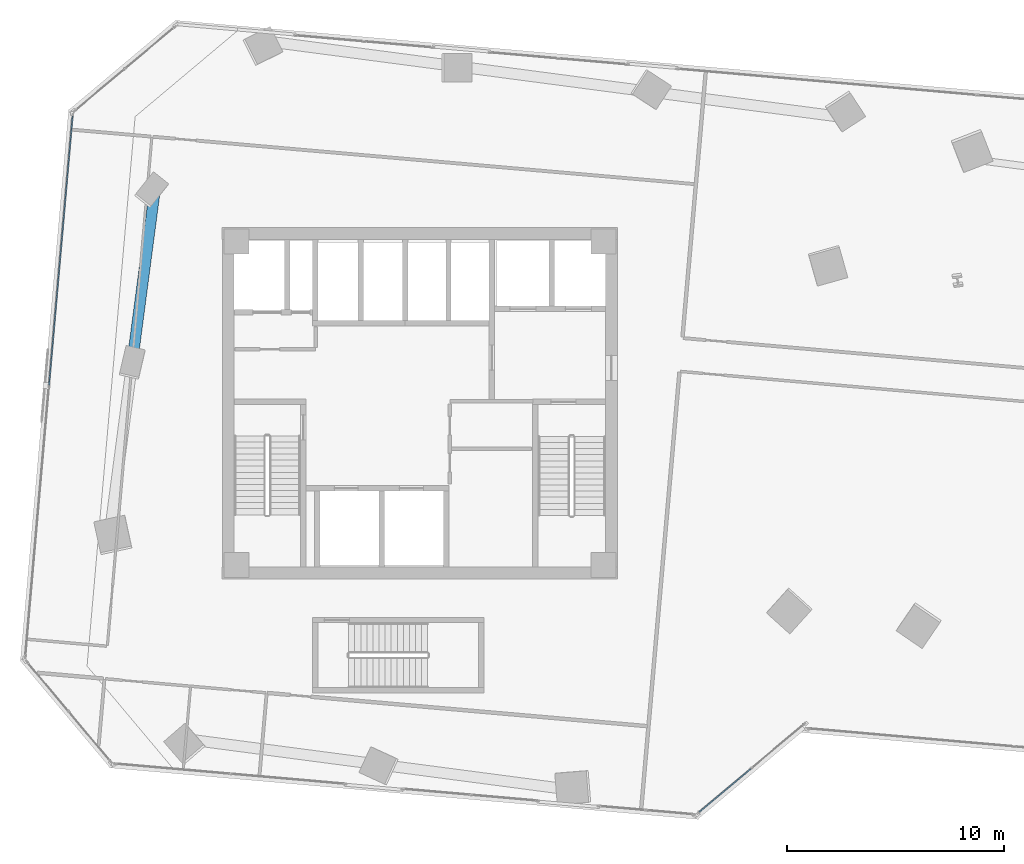
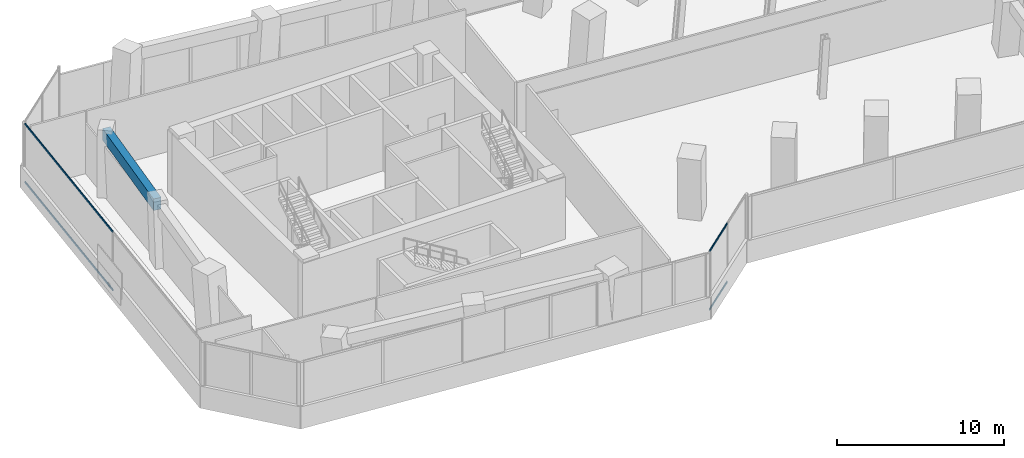
# One storey, part 7 of 23: 4 members, 1 beam, 2 elements without a shape of their own.
"""IFC4 building model written with IfcOpenShell, lengths in metres."""

from ifc_helpers import new_model, si_unit, direction, frame, origin, origin_2d, place, context, subcontext, project, spatial, rectangle, hollow_rectangle, extrude, source, transform, mapped, material, material_profile, profile_set, type_object, element, aggregate, save


model = new_model("IFC4")

# Units and contexts
model_context = context("Model", 3, precision=1e-05, world=origin(), true_north=direction((0.0, 1.0)))
body_context = subcontext(model_context, "Body", "Model", "MODEL_VIEW")
ifc_project = project(units=[si_unit("LENGTHUNIT", "METRE"), si_unit("AREAUNIT", "SQUARE_METRE"), si_unit("VOLUMEUNIT", "CUBIC_METRE"), si_unit("PLANEANGLEUNIT", "RADIAN"), si_unit("MASSUNIT", "GRAM", prefix="KILO")], contexts=[model_context])

# Site, building, storey
site_placement = place(None, origin())
site = spatial("IfcSite", under=ifc_project, at=site_placement, CompositionType="ELEMENT")
building_placement = place(site_placement, origin())
building = spatial("IfcBuilding", under=site, at=building_placement, Name="Torre Montelarca", CompositionType="ELEMENT")
storey_placement = place(building_placement, frame((0.0, 0.0, 56.800048828125)))
storey = spatial("IfcBuildingStorey", under=building, at=storey_placement, Name="L12", CompositionType="ELEMENT", Elevation=56.800048828125)

# Beam
ifc_material_1 = material(Name="Concrete C55/67", Category="concrete")
ifc_material_profile_1 = material_profile(ifc_material_1, rectangle(XDim=0.5, YDim=0.85009765625, at=origin_2d()), Name="RCB500X850", Category="concrete")
ifc_profile_set_1 = profile_set([ifc_material_profile_1], Name="Concrete C55/67")
beam_type = type_object("IfcBeamType", Name="BM-SP-RC850-EXT", PredefinedType="SPANDREL", material=ifc_profile_set_1)
shared_shape_1 = source(origin(), body_context, "Body", "SweptSolid", [
    extrude(rectangle(XDim=0.5, YDim=0.85009765625, at=origin_2d()), origin(), (0.0, 0.0, 1.0), 7.999755859375),
])
beam_placement = place(storey_placement, frame((4.794189453125, 34.199462890625, 4.135009765625), z_axis=(0.130526351537, 0.991444840399, 0.0), x_axis=(-0.991444840399, 0.130526351537, 0.0)))
element("IfcBeam", 1, at=beam_placement, inside=storey, type_object=beam_type, Name="L12 Grid Girder Y 32.0-40.0 at X=4.7", PredefinedType="SPANDREL", context=body_context, shape_type="MappedRepresentation", body=[
    mapped(shared_shape_1, transform((0.0, 0.0, 0.0), scale=1.0)),
])

# Curtain wall, members
ifc_material_2 = material(Name="Insulated low-E laminated glass", Category="glass")
curtain_wall_type = type_object("IfcCurtainWallType", Name="CW-SYS-Z1", PredefinedType="USERDEFINED", material=ifc_material_2)
curtain_wall_1_placement = place(storey_placement, origin())
curtain_wall_1 = element("IfcCurtainWall", 2, at=curtain_wall_1_placement, inside=storey, type_object=curtain_wall_type, Name="L12 Curtain Wall Run CW-T3-L12-E02-B1", ObjectType="UNITISED GLAZING", PredefinedType="USERDEFINED")
ifc_material_3 = material(Name="Anodised aluminium AA 6063-T6", Category="aluminium")
ifc_material_profile_2 = material_profile(ifc_material_3, hollow_rectangle(XDim=0.06494140625, YDim=0.139892578125, WallThickness=0.00390625, InnerFilletRadius=0.00390625, OuterFilletRadius=0.008056640625, at=origin_2d()), Name="ALU65X140X4", Category="aluminium")
ifc_profile_set_2 = profile_set([ifc_material_profile_2], Name="Anodised aluminium AA 6063-T6")
member_type = type_object("IfcMemberType", Name="CWT-ALU140", PredefinedType="USERDEFINED", material=ifc_profile_set_2)
shared_shape_2 = source(origin(), body_context, "Body", "SweptSolid", [
    extrude(hollow_rectangle(XDim=0.06494140625, YDim=0.139892578125, WallThickness=0.00390625, InnerFilletRadius=0.00390625, OuterFilletRadius=0.008056640625, at=origin_2d()), origin(), (0.0, 0.0, 1.0), 3.102783203125),
])
member_1_placement = place(storey_placement, frame((30.865478515625, 13.167236328125, 0.032470703125), z_axis=(0.766062807851, 0.642765722816, 0.0), x_axis=(-0.642765722816, 0.766062807851, 0.0)))
member_1 = element("IfcMember", 3, at=member_1_placement, type_object=member_type, Name="CW transom 1.1", ObjectType="TRANSOM", PredefinedType="USERDEFINED", context=body_context, shape_type="MappedRepresentation", body=[
    mapped(shared_shape_2, transform((0.0, 0.0, 0.0), scale=1.0)),
])
member_2_placement = place(storey_placement, frame((30.865478515625, 13.167236328125, 4.287353515625), z_axis=(0.766062807851, 0.642765722816, 0.0), x_axis=(-0.642765722816, 0.766062807851, 0.0)))
member_2 = element("IfcMember", 4, at=member_2_placement, type_object=member_type, Name="CW transom 1.2", ObjectType="TRANSOM", PredefinedType="USERDEFINED", context=body_context, shape_type="MappedRepresentation", body=[
    mapped(shared_shape_2, transform((0.0, 0.0, 0.0), scale=1.0)),
])
aggregate(curtain_wall_1, [member_1, member_2])

curtain_wall_2_placement = place(storey_placement, origin())
curtain_wall_2 = element("IfcCurtainWall", 5, at=curtain_wall_2_placement, inside=storey, type_object=curtain_wall_type, Name="L12 Curtain Wall Run CW-T3-L12-E10-B1", ObjectType="UNITISED GLAZING", PredefinedType="USERDEFINED")
shared_shape_3 = source(origin(), body_context, "Body", "SweptSolid", [
    extrude(hollow_rectangle(XDim=0.06494140625, YDim=0.139892578125, WallThickness=0.00390625, InnerFilletRadius=0.00390625, OuterFilletRadius=0.008056640625, at=origin_2d()), origin(), (0.0, 0.0, 1.0), 12.436767578125),
])
member_3_placement = place(storey_placement, frame((2.0078125, 45.21826171875, 0.032470703125), z_axis=(-0.087159888253, -0.996194335398, 0.0), x_axis=(0.996194335398, -0.087159888253, 0.0)))
member_3 = element("IfcMember", 6, at=member_3_placement, type_object=member_type, Name="CW transom 1.1", ObjectType="TRANSOM", PredefinedType="USERDEFINED", context=body_context, shape_type="MappedRepresentation", body=[
    mapped(shared_shape_3, transform((0.0, 0.0, 0.0), scale=1.0)),
])
member_4_placement = place(storey_placement, frame((2.0078125, 45.21826171875, 4.287353515625), z_axis=(-0.087159888253, -0.996194335398, 0.0), x_axis=(0.996194335398, -0.087159888253, 0.0)))
member_4 = element("IfcMember", 7, at=member_4_placement, type_object=member_type, Name="CW transom 1.2", ObjectType="TRANSOM", PredefinedType="USERDEFINED", context=body_context, shape_type="MappedRepresentation", body=[
    mapped(shared_shape_3, transform((0.0, 0.0, 0.0), scale=1.0)),
])
aggregate(curtain_wall_2, [member_3, member_4])

save(model, "model.ifc")
